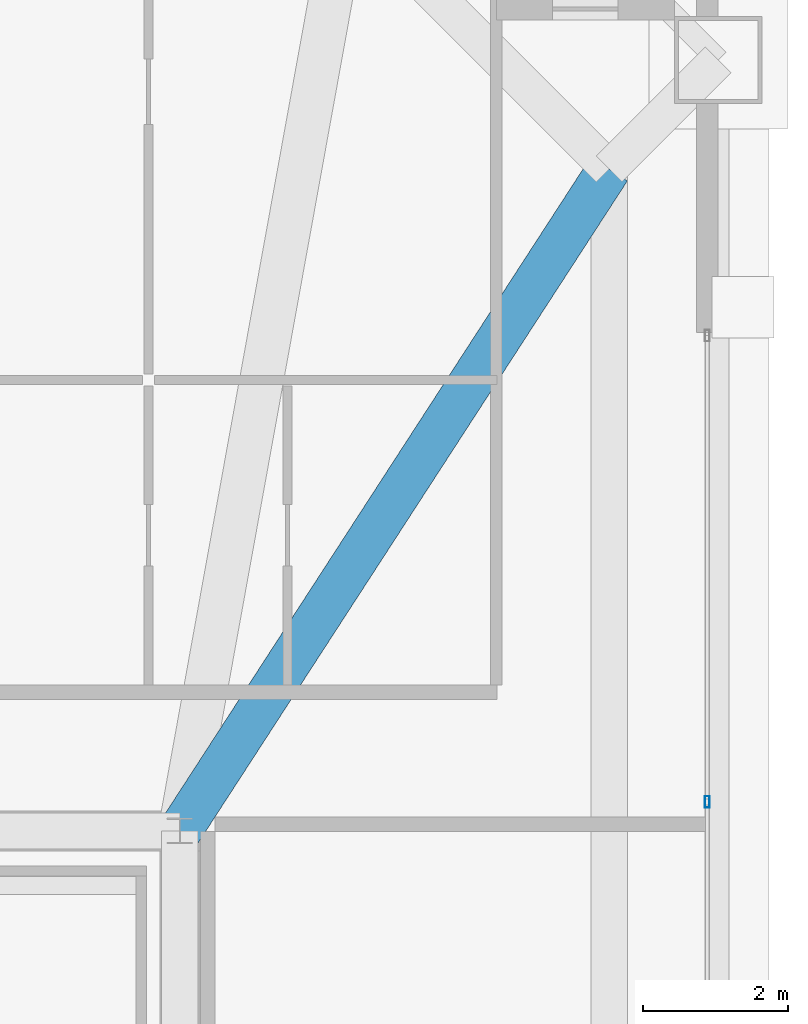
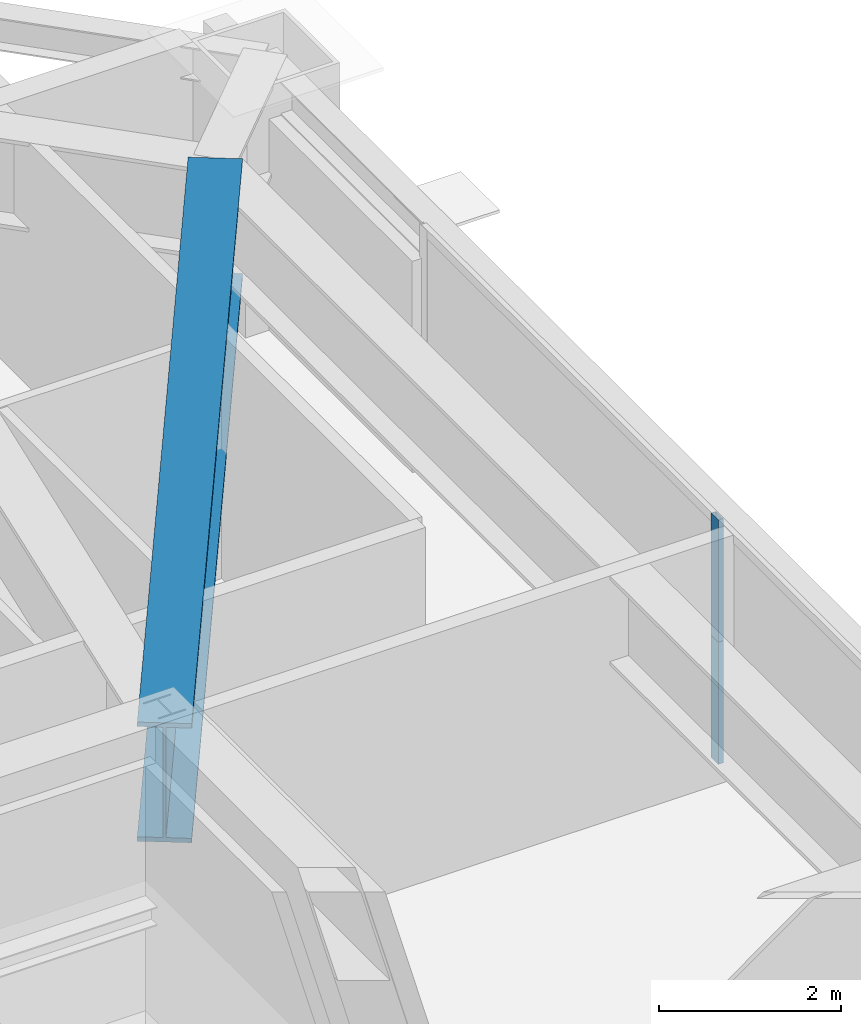
# One storey, part 18 of 33: 2 members, 1 beam, 1 element without a shape of its own.
"""IFC4 building model written with IfcOpenShell, lengths in metres."""

import ifcopenshell
import ifcopenshell.guid

model = None  # the IFC model being written
_history = None  # IfcOwnerHistory: only IFC2X3 demands one
_inside = {}  # id of a spatial element -> (the spatial element, [elements in it])
_under = {}  # id of a project, library or spatial element -> (it, [spatial elements below it])
_declared = {}  # id of a project -> (the project, [libraries it declares])
_typed = {}  # id of a type object -> (the type object, [elements of that type])
_made_of = {}  # id of a material, layer set ... -> (it, [elements and type objects made of it])


def new_model(schema):
    """Start an empty IFC model of exactly this schema.

    Asked for "IFC4X3", IfcOpenShell would pick the latest addendum, in which some entities
    have other attributes; the version numbers below select the first issue.
    IFC2X3 requires an IfcOwnerHistory on every rooted entity: one is made here for all.
    """
    global model, _history
    if schema == "IFC4X3":
        model = ifcopenshell.file(schema_version=(4, 3, 0, 0))
    else:
        model = ifcopenshell.file(schema=schema)
    _inside.clear()
    _under.clear()
    _declared.clear()
    _typed.clear()
    _made_of.clear()
    _history = None
    if model.schema == "IFC2X3":
        org = make("IfcOrganization", Name="unknown")
        user = make(
            "IfcPersonAndOrganization",
            ThePerson=make("IfcPerson", FamilyName="unknown"),
            TheOrganization=org,
        )
        app = make(
            "IfcApplication",
            ApplicationDeveloper=org,
            Version="unknown",
            ApplicationFullName="unknown",
            ApplicationIdentifier="unknown",
        )
        _history = make(
            "IfcOwnerHistory",
            OwningUser=user,
            OwningApplication=app,
            ChangeAction="ADDED",
            CreationDate=0,
        )
    return model


def make(cls, **values):
    """One entity of the class cls with the attributes given. An attribute that is None is left unset."""
    return model.create_entity(
        cls, **{name: value for name, value in values.items() if value is not None}
    )


def rooted(cls, **values):
    """An entity with a GlobalId (a new one), such as an element, a storey or a relation."""
    return make(cls, GlobalId=ifcopenshell.guid.new(), OwnerHistory=_history, **values)


def si_unit(unit_type, name, prefix=None):
    """IfcSIUnit, for example si_unit("LENGTHUNIT", "METRE", prefix="MILLI")."""
    return make("IfcSIUnit", UnitType=unit_type, Prefix=prefix, Name=name)


def assignment(units):
    """IfcUnitAssignment: the units of a project."""
    return None if units is None else make("IfcUnitAssignment", Units=units)


def point(xyz):
    """IfcCartesianPoint."""
    return None if xyz is None else make("IfcCartesianPoint", Coordinates=xyz)


def direction(xyz):
    """IfcDirection."""
    return None if xyz is None else make("IfcDirection", DirectionRatios=xyz)


def frame(location, z_axis=None, x_axis=None):
    """IfcAxis2Placement3D, a coordinate frame: its origin and axes. An axis left out is left unset."""
    return make(
        "IfcAxis2Placement3D",
        Location=point(location),
        Axis=direction(z_axis),
        RefDirection=direction(x_axis),
    )


def frame_2d(location, x_axis=None):
    """IfcAxis2Placement2D, a coordinate frame in the plane: its origin and x axis."""
    return make(
        "IfcAxis2Placement2D", Location=point(location), RefDirection=direction(x_axis)
    )


def origin():
    """The frame at (0, 0, 0) with its axes left unset."""
    return frame((0.0, 0.0, 0.0))


def origin_2d():
    """The frame at (0, 0) in the plane with its x axis left unset."""
    return frame_2d((0.0, 0.0))


def place(relative_to, where):
    """IfcLocalPlacement: puts the frame where relative to a parent placement (None: the world)."""
    return make(
        "IfcLocalPlacement", PlacementRelTo=relative_to, RelativePlacement=where
    )


def context(
    kind, dimensions, precision=None, world=None, true_north=None, identifier=None
):
    """IfcGeometricRepresentationContext, for example the 3D "Model" context."""
    return make(
        "IfcGeometricRepresentationContext",
        ContextIdentifier=identifier,
        ContextType=kind,
        CoordinateSpaceDimension=dimensions,
        Precision=precision,
        WorldCoordinateSystem=world,
        TrueNorth=true_north,
    )


def subcontext(parent, identifier, kind, view, scale=None):
    """IfcGeometricRepresentationSubContext, for example "Body" below "Model"."""
    return make(
        "IfcGeometricRepresentationSubContext",
        ContextIdentifier=identifier,
        ContextType=kind,
        ParentContext=parent,
        TargetScale=scale,
        TargetView=view,
    )


def project(units=None, contexts=None):
    """IfcProject with its units and contexts."""
    return rooted(
        "IfcProject",
        Name="project",
        RepresentationContexts=contexts,
        UnitsInContext=assignment(units),
    )


def spatial(cls, under=None, at=None, **own):
    """A site, building, storey or space (cls), placed at a placement, below another one or the project."""
    s = rooted(cls, ObjectPlacement=at, **own)
    if under is not None:
        _under.setdefault(under.id(), (under, []))[1].append(s)
    return s


def profile(cls, at=None, kind="AREA", **sizes):
    """A parametric profile (cls). Its sizes go by their IFC names, for example OverallWidth=200.0."""
    return make(cls, ProfileType=kind, Position=at, **sizes)


def hollow_rectangle(**sizes):
    """IfcRectangleHollowProfileDef."""
    return profile("IfcRectangleHollowProfileDef", **sizes)


def i_section(**sizes):
    """IfcIShapeProfileDef."""
    return profile("IfcIShapeProfileDef", **sizes)


def extrude(swept, where, along, depth):
    """IfcExtrudedAreaSolid: the profile swept, set in the frame where, extruded along a direction by depth."""
    return make(
        "IfcExtrudedAreaSolid",
        SweptArea=swept,
        Position=where,
        ExtrudedDirection=direction(along),
        Depth=depth,
    )


def shape(context_of_items, identifier, shape_type, items):
    """IfcShapeRepresentation: the items that make up one representation, for example the "Body"."""
    return make(
        "IfcShapeRepresentation",
        ContextOfItems=context_of_items,
        RepresentationIdentifier=identifier,
        RepresentationType=shape_type,
        Items=items,
    )


def source(mapping_origin, context_of_items, identifier, shape_type, items):
    """IfcRepresentationMap: a shape defined once, which mapped items show again and again."""
    return make(
        "IfcRepresentationMap",
        MappingOrigin=mapping_origin,
        MappedRepresentation=shape(context_of_items, identifier, shape_type, items),
    )


def transform(
    local_origin,
    x_axis=None,
    y_axis=None,
    z_axis=None,
    scale=None,
    scale2=None,
    scale3=None,
    uniform=True,
):
    """IfcCartesianTransformationOperator3D, or its non-uniform kind. x_axis, y_axis, z_axis: its Axis1, 2, 3."""
    if uniform:
        return make(
            "IfcCartesianTransformationOperator3D",
            Axis1=direction(x_axis),
            Axis2=direction(y_axis),
            LocalOrigin=point(local_origin),
            Scale=scale,
            Axis3=direction(z_axis),
        )
    return make(
        "IfcCartesianTransformationOperator3DnonUniform",
        Axis1=direction(x_axis),
        Axis2=direction(y_axis),
        LocalOrigin=point(local_origin),
        Scale=scale,
        Axis3=direction(z_axis),
        Scale2=scale2,
        Scale3=scale3,
    )


def mapped(mapping_source, mapping_target):
    """IfcMappedItem: shows the shape of a source again, moved by a transform."""
    return make(
        "IfcMappedItem", MappingSource=mapping_source, MappingTarget=mapping_target
    )


def material(Name=None, Category=None):
    """IfcMaterial."""
    return make("IfcMaterial", Name=Name, Category=Category)


def layer(
    of_material, thickness, ventilated=None, Name=None, Category=None, Priority=None
):
    """IfcMaterialLayer: one layer of a wall or slab, of a material (None: an air gap)."""
    return make(
        "IfcMaterialLayer",
        Material=of_material,
        LayerThickness=thickness,
        IsVentilated=ventilated,
        Name=Name,
        Category=Category,
        Priority=Priority,
    )


def layer_set(layers, Name=None):
    """IfcMaterialLayerSet."""
    return make("IfcMaterialLayerSet", MaterialLayers=layers, LayerSetName=Name)


def material_profile(
    of_material, cross_section, Name=None, Category=None, Priority=None
):
    """IfcMaterialProfile: a cross section and its material."""
    return make(
        "IfcMaterialProfile",
        Name=Name,
        Material=of_material,
        Profile=cross_section,
        Priority=Priority,
        Category=Category,
    )


def profile_set(profiles, Name=None, composite=None):
    """IfcMaterialProfileSet."""
    return make(
        "IfcMaterialProfileSet",
        Name=Name,
        MaterialProfiles=profiles,
        CompositeProfile=composite,
    )


def made_of(thing, what):
    """Note that an element or type object is made of a material, layer set ...; save() writes the relation."""
    if what is not None:
        _made_of.setdefault(what.id(), (what, []))[1].append(thing)
    return thing


def type_object(cls, material=None, **own):
    """A type object (cls), such as IfcWallType, which elements share."""
    return made_of(rooted(cls, **own), material)


def element(
    cls,
    number,
    at=None,
    inside=None,
    cuts=None,
    type_object=None,
    material=None,
    context=None,
    identifier="Body",
    shape_type=None,
    held_by="IfcProductDefinitionShape",
    body=None,
    shapes=None,
    **own,
):
    """One element of the class cls, such as IfcWall. Its Tag is "e" and its number.

    at: its placement. inside: the storey or other place that contains it. cuts: it is an
    opening in that element (IfcRelVoidsElement). A single representation is given by context,
    identifier, shape_type and body (its items); several are given by shapes. held_by: the class
    of the entity that holds the representations. save() writes the other relations.
    """
    e = rooted(cls, Tag="e%d" % number, ObjectPlacement=at, **own)
    if body is not None:
        shapes = [shape(context, identifier, shape_type, body)]
    if shapes is not None:
        e.Representation = make(held_by, Representations=shapes)
    if inside is not None:
        _inside.setdefault(inside.id(), (inside, []))[1].append(e)
    if cuts is not None:
        rooted(
            "IfcRelVoidsElement", RelatingBuildingElement=cuts, RelatedOpeningElement=e
        )
    if type_object is not None:
        _typed.setdefault(type_object.id(), (type_object, []))[1].append(e)
    return made_of(e, material)


def aggregate(whole, parts):
    """IfcRelAggregates: a whole, such as a stair, and the parts it consists of."""
    return rooted("IfcRelAggregates", RelatingObject=whole, RelatedObjects=parts)


def save(model, path):
    """Write the relations noted so far, then the file.

    IfcRelAggregates (storeys below a building ...), IfcRelContainedInSpatialStructure (elements
    in a storey), IfcRelDefinesByType, IfcRelAssociatesMaterial and IfcRelDeclares: one each for
    every whole, place, type object, material and project.
    """
    for whole, parts in _under.values():
        aggregate(whole, parts)
    for where, things in _inside.values():
        rooted(
            "IfcRelContainedInSpatialStructure",
            RelatedElements=things,
            RelatingStructure=where,
        )
    for kind, things in _typed.values():
        rooted("IfcRelDefinesByType", RelatedObjects=things, RelatingType=kind)
    for what, things in _made_of.values():
        rooted("IfcRelAssociatesMaterial", RelatedObjects=things, RelatingMaterial=what)
    for by, libraries in _declared.values():
        rooted("IfcRelDeclares", RelatingContext=by, RelatedDefinitions=libraries)
    model.write(path)


model = new_model("IFC4")

# Units and contexts
model_context = context("Model", 3, precision=1e-05, world=origin(), true_north=direction((0.0, 1.0)))
body_context = subcontext(model_context, "Body", "Model", "MODEL_VIEW")
ifc_project = project(units=[si_unit("LENGTHUNIT", "METRE"), si_unit("AREAUNIT", "SQUARE_METRE"), si_unit("VOLUMEUNIT", "CUBIC_METRE"), si_unit("PLANEANGLEUNIT", "RADIAN"), si_unit("MASSUNIT", "GRAM", prefix="KILO"), si_unit("THERMODYNAMICTEMPERATUREUNIT", "KELVIN"), si_unit("POWERUNIT", "WATT")], contexts=[model_context])

# Site, building, storey
site_placement = place(None, origin())
site = spatial("IfcSite", under=ifc_project, at=site_placement, CompositionType="ELEMENT")
building_placement = place(site_placement, origin())
building = spatial("IfcBuilding", under=site, at=building_placement, Name="Yuzanri Waterfront Tower", CompositionType="ELEMENT")
storey_placement = place(building_placement, frame((0.0, 0.0, 282.10009765625)))
storey = spatial("IfcBuildingStorey", under=building, at=storey_placement, Name="L75", CompositionType="ELEMENT", Elevation=282.10009765625)

# Beam
ifc_material_1 = material(Name="Steel Q420GJC", Category="steel")
ifc_material_profile_1 = material_profile(ifc_material_1, i_section(OverallWidth=0.60009765625, OverallDepth=1.60009765625, WebThickness=0.031982421875, FlangeThickness=0.06005859375, at=origin_2d()), Name="PG 1600x600x32x60")
ifc_profile_set_1 = profile_set([ifc_material_profile_1], Name="Steel Q420GJC")
beam_type = type_object("IfcBeamType", Name="Ballroom Transfer Girder Q420GJC PG 1600x600", PredefinedType="USERDEFINED", material=ifc_profile_set_1)
shared_shape_1 = source(origin(), body_context, "Body", "SweptSolid", [
    extrude(i_section(OverallWidth=0.60009765625, OverallDepth=1.60009765625, WebThickness=0.031982421875, FlangeThickness=0.06005859375, at=origin_2d()), origin(), (0.0, 0.0, 1.0), 10.845458984375),
])
beam_placement = place(storey_placement, frame((50.199951171875, 32.199951171875, 2.47998046875), z_axis=(0.54402108739, 0.839071544312, 0.0), x_axis=(-0.839071544312, 0.54402108739, 0.0)))
element("IfcBeam", 1, at=beam_placement, inside=storey, type_object=beam_type, Name="L75 Setback Inner Transfer E3", ObjectType="GIRDER", PredefinedType="USERDEFINED", context=body_context, shape_type="MappedRepresentation", body=[
    mapped(shared_shape_1, transform((0.0, 0.0, 0.0), scale=1.0)),
])

# Curtain wall, members
ifc_material_2 = material(Name="Anodized Architectural Bronze", Category="metal")
ifc_layer = layer(ifc_material_2, 0.159912109375)
ifc_layer_set = layer_set([ifc_layer], Name="Anodized Architectural Bronze")
curtain_wall_type = type_object("IfcCurtainWallType", Name="Anodized Bronze Mid-Rise Residential Acoustic Unitized Curtain Wall 7200", PredefinedType="NOTDEFINED", material=ifc_layer_set)
curtain_wall_placement = place(storey_placement, origin())
curtain_wall = element("IfcCurtainWall", 2, at=curtain_wall_placement, inside=storey, type_object=curtain_wall_type, Name="L75 Curtain Wall CW-L75-ER", PredefinedType="NOTDEFINED")
ifc_material_3 = material(Name="Anodized Architectural Bronze", Category="metal")
ifc_material_profile_2 = material_profile(ifc_material_3, hollow_rectangle(XDim=0.06494140625, YDim=0.159912109375, WallThickness=0.00341796875, at=origin_2d()), Name="CWM 65x160")
ifc_profile_set_2 = profile_set([ifc_material_profile_2], Name="Anodized Architectural Bronze")
member_type = type_object("IfcMemberType", Name="Anodized Bronze Upper-Zone Curtain-Wall Mullion 65x160", PredefinedType="MULLION", material=ifc_profile_set_2)
shared_shape_2 = source(origin(), body_context, "Body", "SweptSolid", [
    extrude(hollow_rectangle(XDim=0.06494140625, YDim=0.159912109375, WallThickness=0.00341796875, at=origin_2d()), origin(), (0.0, 0.0, 1.0), 1.637939453125),
])
member_1_placement = place(storey_placement, frame((57.449951171875, 32.60009765625, 0.0), z_axis=(0.0, 0.0, 1.0), x_axis=(1.0, 0.0, 0.0)))
member_1 = element("IfcMember", 3, at=member_1_placement, type_object=member_type, Name="CW-L75-ER Lower Mullion 01", PredefinedType="MULLION", context=body_context, shape_type="MappedRepresentation", body=[
    mapped(shared_shape_2, transform((0.0, 0.0, 0.0), scale=1.0)),
])
member_2_placement = place(storey_placement, frame((57.449951171875, 32.60009765625, 1.641845703125), z_axis=(0.0, 0.0, 1.0), x_axis=(1.0, 0.0, 0.0)))
member_2 = element("IfcMember", 4, at=member_2_placement, type_object=member_type, Name="CW-L75-ER Upper Mullion 01", PredefinedType="MULLION", context=body_context, shape_type="MappedRepresentation", body=[
    mapped(shared_shape_2, transform((0.0, 0.0, 0.0), scale=1.0)),
])
aggregate(curtain_wall, [member_1, member_2])

save(model, "model.ifc")
